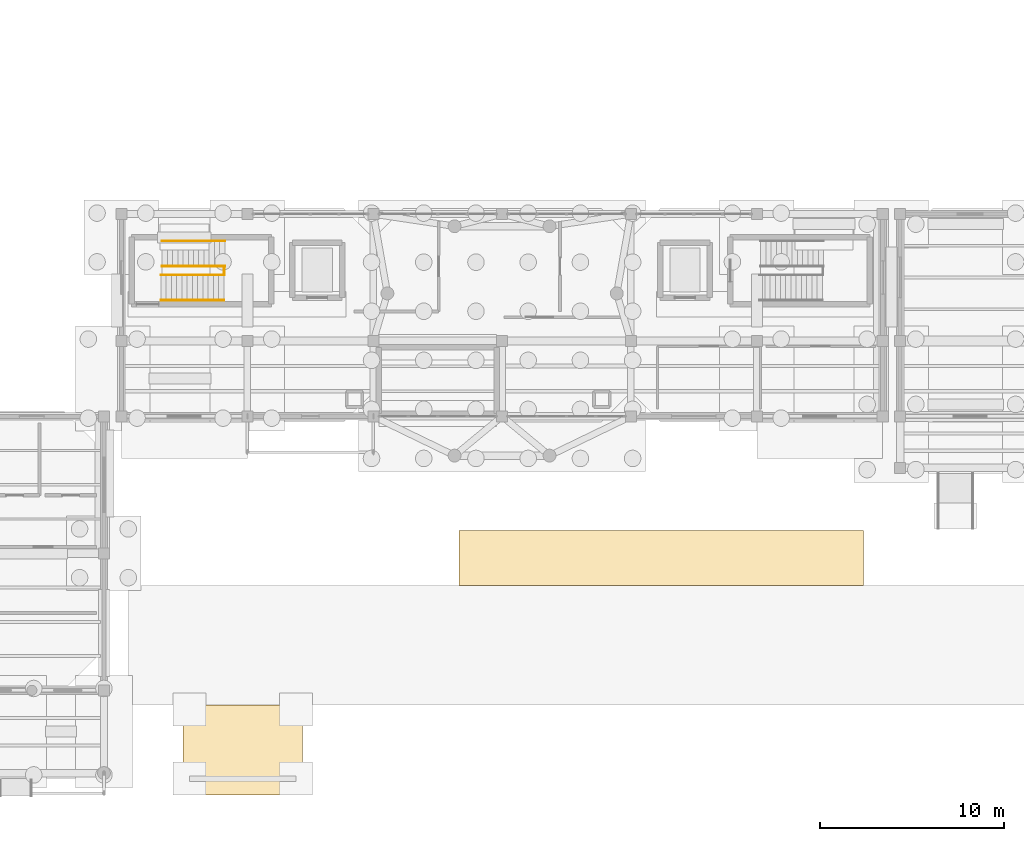
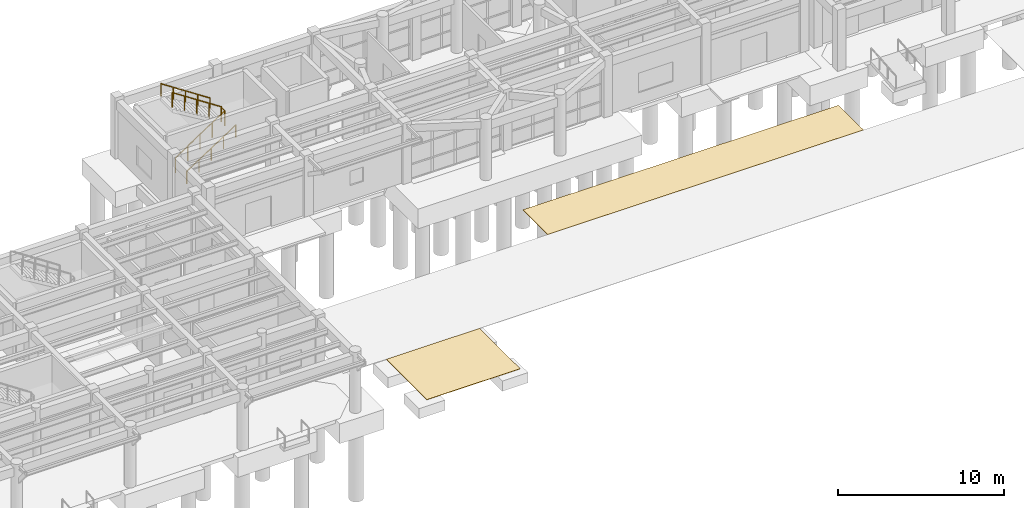
# One storey, part 36 of 41: 5 railings, 2 coverings.
"""IFC4 building model written with IfcOpenShell, lengths in metres."""

from ifc_helpers import new_model, si_unit, direction, frame, origin, origin_2d, place, context, subcontext, project, spatial, rectangle, circle, extrude, material, layer, layer_set, type_object, element, save


model = new_model("IFC4")

# Units and contexts
model_context = context("Model", 3, precision=1e-05, world=origin(), true_north=direction((0.0, 1.0)))
body_context = subcontext(model_context, "Body", "Model", "MODEL_VIEW")
ifc_project = project(units=[si_unit("LENGTHUNIT", "METRE"), si_unit("AREAUNIT", "SQUARE_METRE"), si_unit("VOLUMEUNIT", "CUBIC_METRE"), si_unit("PLANEANGLEUNIT", "RADIAN"), si_unit("MASSUNIT", "GRAM", prefix="KILO")], contexts=[model_context])

# Site, building, storey
site_placement = place(None, origin())
site = spatial("IfcSite", under=ifc_project, at=site_placement, CompositionType="ELEMENT")
building_placement = place(site_placement, origin())
building = spatial("IfcBuilding", under=site, at=building_placement, Name="Candilejo Ridge Gondola Terminal", CompositionType="ELEMENT")
storey_placement = place(building_placement, origin())
storey = spatial("IfcBuildingStorey", under=building, at=storey_placement, Name="L00", CompositionType="ELEMENT", Elevation=0.0)

# Railings
ifc_material_1 = material(Name="Hot-dip galvanised steel ASTM A500 Grade B", Category="steel")
railing_type_1 = type_object("IfcRailingType", Name="ARC-STAIR-GUARD-1100", PredefinedType="GUARDRAIL", material=ifc_material_1)
railing_1_placement = place(storey_placement, frame((46.800048828125, 33.385009765625, 0.0)))
element("IfcRailing", 1, at=railing_1_placement, inside=storey, type_object=railing_type_1, Name="Flight well guard ST-V2A-F01", PredefinedType="GUARDRAIL", context=body_context, shape_type="SweptSolid", body=[
    extrude(circle(Radius=0.02392578125, at=origin_2d()), frame((0.0, 0.0, 1.076171875), z_axis=(0.835411317272, 0.0, 0.549625264133), x_axis=(0.0, 1.0, 0.0)), (0.0, 0.0, 1.0), 4.09375),
    extrude(circle(Radius=0.02099609375, at=origin_2d()), origin(), (0.0, 0.0, 1.0), 1.052001953125),
    extrude(circle(Radius=0.02099609375, at=origin_2d()), frame((0.85498046875, 0.0, 0.5625)), (0.0, 0.0, 1.0), 1.052001953125),
    extrude(circle(Radius=0.02099609375, at=origin_2d()), frame((1.7099609375, 0.0, 1.125)), (0.0, 0.0, 1.0), 1.052001953125),
    extrude(circle(Radius=0.02099609375, at=origin_2d()), frame((2.56494140625, 0.0, 1.6875)), (0.0, 0.0, 1.0), 1.052001953125),
    extrude(circle(Radius=0.02099609375, at=origin_2d()), frame((3.419921875, 0.0, 2.25)), (0.0, 0.0, 1.0), 1.052001953125),
])
railing_2_placement = place(storey_placement, frame((50.25, 33.385009765625, 2.25)))
element("IfcRailing", 2, at=railing_2_placement, inside=storey, type_object=railing_type_1, Name="Half-landing slot guard ST-V2A-LND-01", PredefinedType="GUARDRAIL", context=body_context, shape_type="SweptSolid", body=[
    extrude(circle(Radius=0.02392578125, at=origin_2d()), frame((0.0, 0.0, 1.076171875), z_axis=(0.0, 1.0, 0.0), x_axis=(-1.0, 0.0, 0.0)), (0.0, 0.0, 1.0), 0.47998046875),
    extrude(circle(Radius=0.02099609375, at=origin_2d()), origin(), (0.0, 0.0, 1.0), 1.052001953125),
    extrude(circle(Radius=0.02099609375, at=origin_2d()), frame((0.0, 0.47998046875, 0.0)), (0.0, 0.0, 1.0), 1.052001953125),
])
railing_3_placement = place(storey_placement, frame((50.280029296875, 33.864990234375, 2.25)))
element("IfcRailing", 3, at=railing_3_placement, inside=storey, type_object=railing_type_1, Name="Flight well guard ST-V2A-F02", PredefinedType="GUARDRAIL", context=body_context, shape_type="SweptSolid", body=[
    extrude(circle(Radius=0.02392578125, at=origin_2d()), frame((0.0, 0.0, 1.076171875), z_axis=(-0.835411317272, 0.0, 0.549625264133), x_axis=(0.0, -1.0, 0.0)), (0.0, 0.0, 1.0), 4.09375),
    extrude(circle(Radius=0.02099609375, at=origin_2d()), origin(), (0.0, 0.0, 1.0), 1.052001953125),
    extrude(circle(Radius=0.02099609375, at=origin_2d()), frame((-0.85498046875, 0.0, 0.5625)), (0.0, 0.0, 1.0), 1.052001953125),
    extrude(circle(Radius=0.02099609375, at=origin_2d()), frame((-1.7099609375, 0.0, 1.125)), (0.0, 0.0, 1.0), 1.052001953125),
    extrude(circle(Radius=0.02099609375, at=origin_2d()), frame((-2.56494140625, 0.0, 1.6875)), (0.0, 0.0, 1.0), 1.052001953125),
    extrude(circle(Radius=0.02099609375, at=origin_2d()), frame((-3.419921875, 0.0, 2.25)), (0.0, 0.0, 1.0), 1.052001953125),
])
ifc_material_2 = material(Name="Brushed stainless steel AISI 316", Category="steel")
railing_type_2 = type_object("IfcRailingType", Name="ARC-STAIR-HANDRAIL-920", PredefinedType="HANDRAIL", material=ifc_material_2)
railing_4_placement = place(storey_placement, frame((46.800048828125, 32.014892578125, 0.0)))
element("IfcRailing", 4, at=railing_4_placement, inside=storey, type_object=railing_type_2, Name="Wall handrail ST-V2A-F01", PredefinedType="HANDRAIL", context=body_context, shape_type="SweptSolid", body=[
    extrude(circle(Radius=0.02392578125, at=origin_2d()), frame((0.0, 0.0, 0.89599609375), z_axis=(0.835411317272, 0.0, 0.549625264133), x_axis=(0.0, 1.0, 0.0)), (0.0, 0.0, 1.0), 4.09375),
    extrude(circle(Radius=0.02099609375, at=origin_2d()), origin(), (0.0, 0.0, 1.0), 0.871826171875),
    extrude(circle(Radius=0.02099609375, at=origin_2d()), frame((0.85498046875, 0.0, 0.5625)), (0.0, 0.0, 1.0), 0.871826171875),
    extrude(circle(Radius=0.02099609375, at=origin_2d()), frame((1.7099609375, 0.0, 1.125)), (0.0, 0.0, 1.0), 0.871826171875),
    extrude(circle(Radius=0.02099609375, at=origin_2d()), frame((2.56494140625, 0.0, 1.6875)), (0.0, 0.0, 1.0), 0.871826171875),
    extrude(circle(Radius=0.02099609375, at=origin_2d()), frame((3.419921875, 0.0, 2.25)), (0.0, 0.0, 1.0), 0.871826171875),
])
railing_5_placement = place(storey_placement, frame((50.280029296875, 35.235107421875, 2.25)))
element("IfcRailing", 5, at=railing_5_placement, inside=storey, type_object=railing_type_2, Name="Wall handrail ST-V2A-F02", PredefinedType="HANDRAIL", context=body_context, shape_type="SweptSolid", body=[
    extrude(circle(Radius=0.02392578125, at=origin_2d()), frame((0.0, 0.0, 0.89599609375), z_axis=(-0.835411317272, 0.0, 0.549625264133), x_axis=(0.0, -1.0, 0.0)), (0.0, 0.0, 1.0), 4.09375),
    extrude(circle(Radius=0.02099609375, at=origin_2d()), origin(), (0.0, 0.0, 1.0), 0.871826171875),
    extrude(circle(Radius=0.02099609375, at=origin_2d()), frame((-0.85498046875, 0.0, 0.5625)), (0.0, 0.0, 1.0), 0.871826171875),
    extrude(circle(Radius=0.02099609375, at=origin_2d()), frame((-1.7099609375, 0.0, 1.125)), (0.0, 0.0, 1.0), 0.871826171875),
    extrude(circle(Radius=0.02099609375, at=origin_2d()), frame((-2.56494140625, 0.0, 1.6875)), (0.0, 0.0, 1.0), 0.871826171875),
    extrude(circle(Radius=0.02099609375, at=origin_2d()), frame((-3.419921875, 0.0, 2.25)), (0.0, 0.0, 1.0), 0.871826171875),
])

# Coverings
ifc_material_3 = material(Name="Heavy-duty polymer-modified asphalt busway wearing course", Category="asphalt")
ifc_layer = layer(ifc_material_3, 0.030029296875)
ifc_layer_set = layer_set([ifc_layer], Name="CIV-COV-BUSWAY-ASPHALT")
covering_type = type_object("IfcCoveringType", Name="CIV-COV-BUSWAY-ASPHALT", PredefinedType="USERDEFINED", material=ifc_layer_set)
covering_1_placement = place(storey_placement, frame((51.25, 7.550048828125, -0.02978515625), z_axis=(0.0, 0.0, 1.0), x_axis=(1.0, 0.0, 0.0)))
element("IfcCovering", 6, at=covering_1_placement, inside=storey, type_object=covering_type, Name="Transit busway asphalt wearing course RD-ENTRY", ObjectType="ROADWAY", PredefinedType="USERDEFINED", context=body_context, shape_type="SweptSolid", body=[
    extrude(rectangle(XDim=6.5, YDim=4.89990234375, at=origin_2d()), origin(), (0.0, 0.0, 1.0), 0.030029296875),
])
covering_2_placement = place(storey_placement, frame((74.0, 18.0, -0.02978515625), z_axis=(0.0, 0.0, 1.0), x_axis=(1.0, 0.0, 0.0)))
element("IfcCovering", 7, at=covering_2_placement, inside=storey, type_object=covering_type, Name="Transit busway asphalt wearing course RD-DROP-01", ObjectType="ROADWAY", PredefinedType="USERDEFINED", context=body_context, shape_type="SweptSolid", body=[
    extrude(rectangle(XDim=22.0, YDim=3.0, at=origin_2d()), origin(), (0.0, 0.0, 1.0), 0.030029296875),
])

save(model, "model.ifc")
